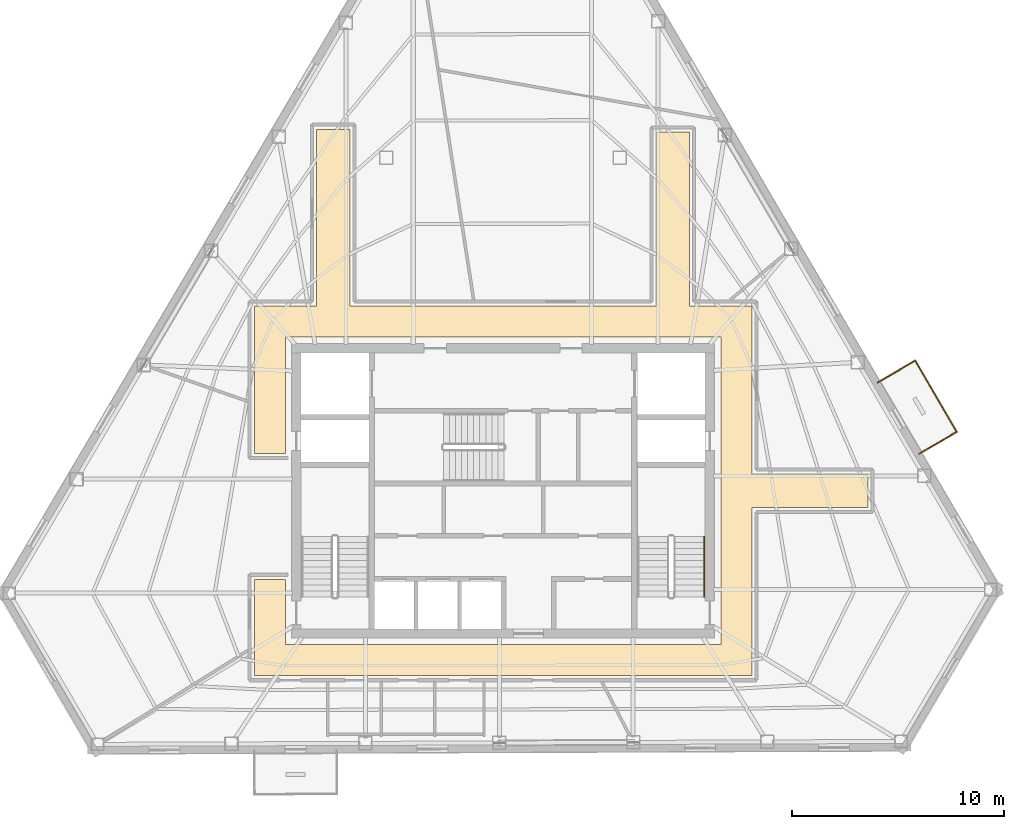
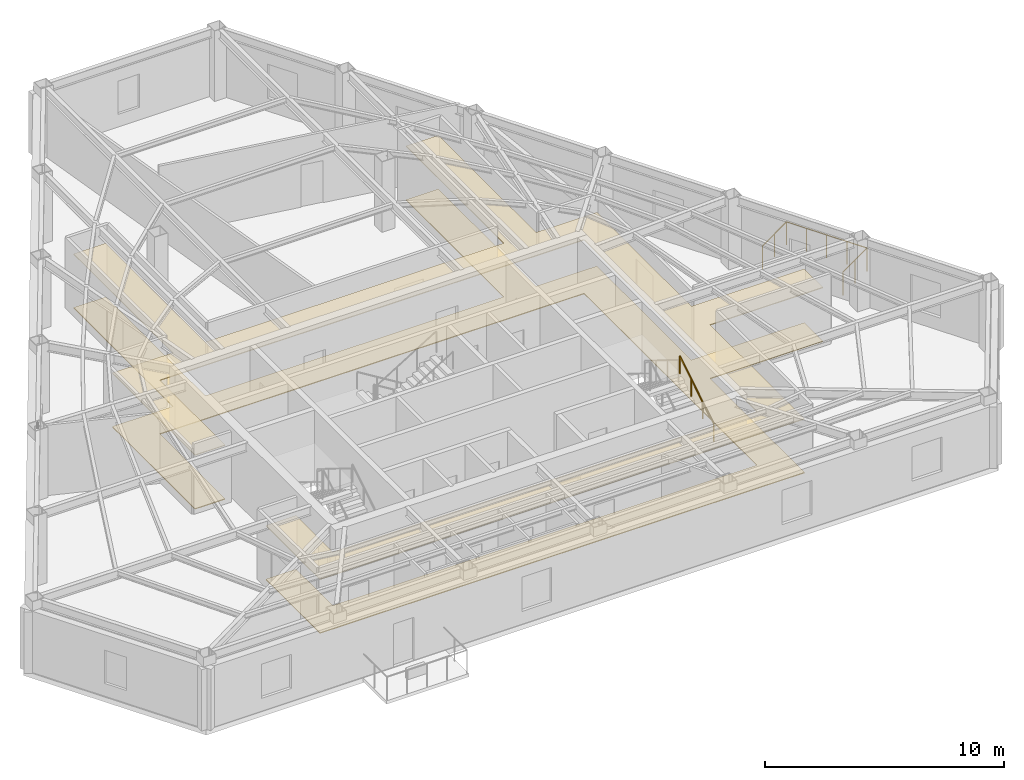
# One storey, part 9 of 9: 4 railings, 2 coverings.
"""IFC4 building model written with IfcOpenShell, lengths in metres."""

from ifc_helpers import new_model, si_unit, direction, frame, origin, origin_2d, place, context, subcontext, project, spatial, polyline, circle, outline, extrude, material, layer, layer_set, type_object, element, save


model = new_model("IFC4")

# Units and contexts
model_context = context("Model", 3, precision=1e-05, world=origin(), true_north=direction((0.0, 1.0)))
body_context = subcontext(model_context, "Body", "Model", "MODEL_VIEW")
ifc_project = project(units=[si_unit("LENGTHUNIT", "METRE"), si_unit("AREAUNIT", "SQUARE_METRE"), si_unit("VOLUMEUNIT", "CUBIC_METRE"), si_unit("PLANEANGLEUNIT", "RADIAN"), si_unit("MASSUNIT", "GRAM", prefix="KILO")], contexts=[model_context])

# Site, building, storey
site_placement = place(None, origin())
site = spatial("IfcSite", under=ifc_project, at=site_placement, CompositionType="ELEMENT")
building_placement = place(site_placement, origin())
building = spatial("IfcBuilding", under=site, at=building_placement, Name="Kavelnor Concourse Tower", CompositionType="ELEMENT")
storey_placement = place(building_placement, frame((0.0, 0.0, 207.35009765625)))
storey = spatial("IfcBuildingStorey", under=building, at=storey_placement, Name="L52", CompositionType="ELEMENT", Elevation=207.35009765625)

# Coverings
ifc_material_1 = material(Name="Mineral fibre acoustic ceiling tile")
ifc_layer_1 = layer(ifc_material_1, 0.0400390625, Name="Mineral fibre acoustic ceiling tile")
ifc_layer_set_1 = layer_set([ifc_layer_1], Name="Mineral fibre acoustic ceiling tile")
covering_type_1 = type_object("IfcCoveringType", Name="COV-CEILING-ACOUSTIC", PredefinedType="CEILING", material=ifc_layer_set_1)
covering_1_placement = place(storey_placement, frame((0.0, 0.0, 2.75)))
element("IfcCovering", 1, at=covering_1_placement, inside=storey, type_object=covering_type_1, Name="L52 Suspended Acoustic Ceiling", PredefinedType="CEILING", context=body_context, shape_type="SweptSolid", body=[
    extrude(outline(polyline([(29.219970703125, 24.800048828125), (29.219970703125, 33.133056640625), (30.780029296875, 33.133056640625), (30.780029296875, 24.800048828125), (45.219970703125, 24.800048828125), (45.219970703125, 32.993896484375), (46.780029296875, 32.993896484375), (46.780029296875, 24.800048828125), (49.719970703125, 24.800048828125), (49.719970703125, 16.8798828125), (55.179931640625, 16.8798828125), (55.179931640625, 15.320068359375), (49.719970703125, 15.320068359375), (49.719970703125, 7.39990234375), (26.280029296875, 7.39990234375), (26.280029296875, 11.929931640625), (27.739990234375, 11.929931640625), (27.739990234375, 8.860107421875), (48.260009765625, 8.860107421875), (48.260009765625, 23.340087890625), (27.739990234375, 23.340087890625), (27.739990234375, 17.8701171875), (26.280029296875, 17.8701171875), (26.280029296875, 24.800048828125), (29.219970703125, 24.800048828125)])), origin(), (0.0, 0.0, 1.0), 0.039794921875),
])
ifc_material_2 = material(Name="Honed bluestone and raised access floor finish", Category="masonry")
ifc_layer_2 = layer(ifc_material_2, 0.0400390625, Name="Honed bluestone and raised access floor finish")
ifc_layer_set_2 = layer_set([ifc_layer_2], Name="Honed bluestone and raised access floor finish")
covering_type_2 = type_object("IfcCoveringType", Name="COV-FLOOR-STONE", PredefinedType="FLOORING", material=ifc_layer_set_2)
covering_2_placement = place(storey_placement, frame((0.0, 0.0, 0.001953125)))
element("IfcCovering", 2, at=covering_2_placement, inside=storey, type_object=covering_type_2, Name="L52 Honed Bluestone Floor Finish", PredefinedType="FLOORING", context=body_context, shape_type="SweptSolid", body=[
    extrude(outline(polyline([(29.219970703125, 24.800048828125), (29.219970703125, 33.133056640625), (30.780029296875, 33.133056640625), (30.780029296875, 24.800048828125), (45.219970703125, 24.800048828125), (45.219970703125, 32.993896484375), (46.780029296875, 32.993896484375), (46.780029296875, 24.800048828125), (49.719970703125, 24.800048828125), (49.719970703125, 16.8798828125), (55.179931640625, 16.8798828125), (55.179931640625, 15.320068359375), (49.719970703125, 15.320068359375), (49.719970703125, 7.39990234375), (26.280029296875, 7.39990234375), (26.280029296875, 11.929931640625), (27.739990234375, 11.929931640625), (27.739990234375, 8.860107421875), (48.260009765625, 8.860107421875), (48.260009765625, 23.340087890625), (27.739990234375, 23.340087890625), (27.739990234375, 17.8701171875), (26.280029296875, 17.8701171875), (26.280029296875, 24.800048828125), (29.219970703125, 24.800048828125)])), origin(), (0.0, 0.0, 1.0), 0.0400390625),
])

# Railings
ifc_material_3 = material(Name="Steel Grade 350", Category="steel")
railing_type_1 = type_object("IfcRailingType", Name="RLG-HANDRAIL-900", PredefinedType="HANDRAIL", material=ifc_material_3)
railing_1_placement = place(storey_placement, frame((47.469970703125, 11.10009765625, 0.1748046875)))
element("IfcRailing", 3, at=railing_1_placement, inside=storey, type_object=railing_type_1, Name="L52 ST2 stair handrail 1", PredefinedType="HANDRAIL", context=body_context, shape_type="SweptSolid", body=[
    extrude(circle(Radius=0.02392578125, at=origin_2d()), frame((0.0, 0.0, 0.8759765625), z_axis=(0.0, 0.852159232446, 0.523282564737), x_axis=(-1.0, 0.0, 0.0)), (0.0, 0.0, 1.0), 3.34423828125),
    extrude(circle(Radius=0.02099609375, at=origin_2d()), origin(), (0.0, 0.0, 1.0), 0.851806640625),
    extrude(circle(Radius=0.02099609375, at=origin_2d()), frame((0.0, 0.949951171875, 0.583251953125)), (0.0, 0.0, 1.0), 0.851806640625),
    extrude(circle(Radius=0.02099609375, at=origin_2d()), frame((0.0, 1.89990234375, 1.166748046875)), (0.0, 0.0, 1.0), 0.851806640625),
    extrude(circle(Radius=0.02099609375, at=origin_2d()), frame((0.0, 2.849853515625, 1.75)), (0.0, 0.0, 1.0), 0.851806640625),
])
ifc_material_4 = material(Name="Architectural bronze-anodised aluminium", Category="aluminium")
railing_type_2 = type_object("IfcRailingType", Name="RLG-TERRACE-1200", PredefinedType="BALUSTRADE", material=ifc_material_4)
railing_2_placement = place(storey_placement, frame((57.59765625, 17.84521484375, 0.0)))
element("IfcRailing", 4, at=railing_2_placement, inside=storey, type_object=railing_type_2, Name="L52 Tree Balcony 2 Guardrail L", PredefinedType="BALUSTRADE", context=body_context, shape_type="SweptSolid", body=[
    extrude(circle(Radius=0.02392578125, at=origin_2d()), frame((0.0, 0.0, 1.17578125), z_axis=(0.863073983957, 0.505077517037, 0.0), x_axis=(-0.505077517037, 0.863073983957, 0.0)), (0.0, 0.0, 1.0), 2.050048828125),
    extrude(circle(Radius=0.02099609375, at=origin_2d()), origin(), (0.0, 0.0, 1.0), 1.15185546875),
    extrude(circle(Radius=0.02099609375, at=origin_2d()), frame((0.884765625, 0.517578125, 0.0)), (0.0, 0.0, 1.0), 1.15185546875),
    extrude(circle(Radius=0.02099609375, at=origin_2d()), frame((1.769287109375, 1.035400390625, 0.0)), (0.0, 0.0, 1.0), 1.15185546875),
])
railing_3_placement = place(storey_placement, frame((59.366943359375, 18.880615234375, 0.0)))
element("IfcRailing", 5, at=railing_3_placement, inside=storey, type_object=railing_type_2, Name="L52 Tree Balcony 2 Guardrail F", PredefinedType="BALUSTRADE", context=body_context, shape_type="SweptSolid", body=[
    extrude(circle(Radius=0.02392578125, at=origin_2d()), frame((0.0, 0.0, 1.17578125), z_axis=(-0.50511062231, 0.863054609645, 0.0), x_axis=(-0.863054609645, -0.50511062231, 0.0)), (0.0, 0.0, 1.0), 3.88037109375),
    extrude(circle(Radius=0.02099609375, at=origin_2d()), origin(), (0.0, 0.0, 1.0), 1.15185546875),
    extrude(circle(Radius=0.02099609375, at=origin_2d()), frame((-0.489990234375, 0.837158203125, 0.0)), (0.0, 0.0, 1.0), 1.15185546875),
    extrude(circle(Radius=0.02099609375, at=origin_2d()), frame((-0.97998046875, 1.67431640625, 0.0)), (0.0, 0.0, 1.0), 1.15185546875),
    extrude(circle(Radius=0.02099609375, at=origin_2d()), frame((-1.469970703125, 2.51171875, 0.0)), (0.0, 0.0, 1.0), 1.15185546875),
    extrude(circle(Radius=0.02099609375, at=origin_2d()), frame((-1.9599609375, 3.348876953125, 0.0)), (0.0, 0.0, 1.0), 1.15185546875),
])
railing_4_placement = place(storey_placement, frame((57.406982421875, 22.2294921875, 0.0)))
element("IfcRailing", 6, at=railing_4_placement, inside=storey, type_object=railing_type_2, Name="L52 Tree Balcony 2 Guardrail R", PredefinedType="BALUSTRADE", context=body_context, shape_type="SweptSolid", body=[
    extrude(circle(Radius=0.02392578125, at=origin_2d()), frame((0.0, 0.0, 1.17578125), z_axis=(-0.863073983957, -0.505077517037, 0.0), x_axis=(0.505077517037, -0.863073983957, 0.0)), (0.0, 0.0, 1.0), 2.050048828125),
    extrude(circle(Radius=0.02099609375, at=origin_2d()), origin(), (0.0, 0.0, 1.0), 1.15185546875),
    extrude(circle(Radius=0.02099609375, at=origin_2d()), frame((-0.884765625, -0.517578125, 0.0)), (0.0, 0.0, 1.0), 1.15185546875),
    extrude(circle(Radius=0.02099609375, at=origin_2d()), frame((-1.769287109375, -1.035400390625, 0.0)), (0.0, 0.0, 1.0), 1.15185546875),
])

save(model, "model.ifc")
